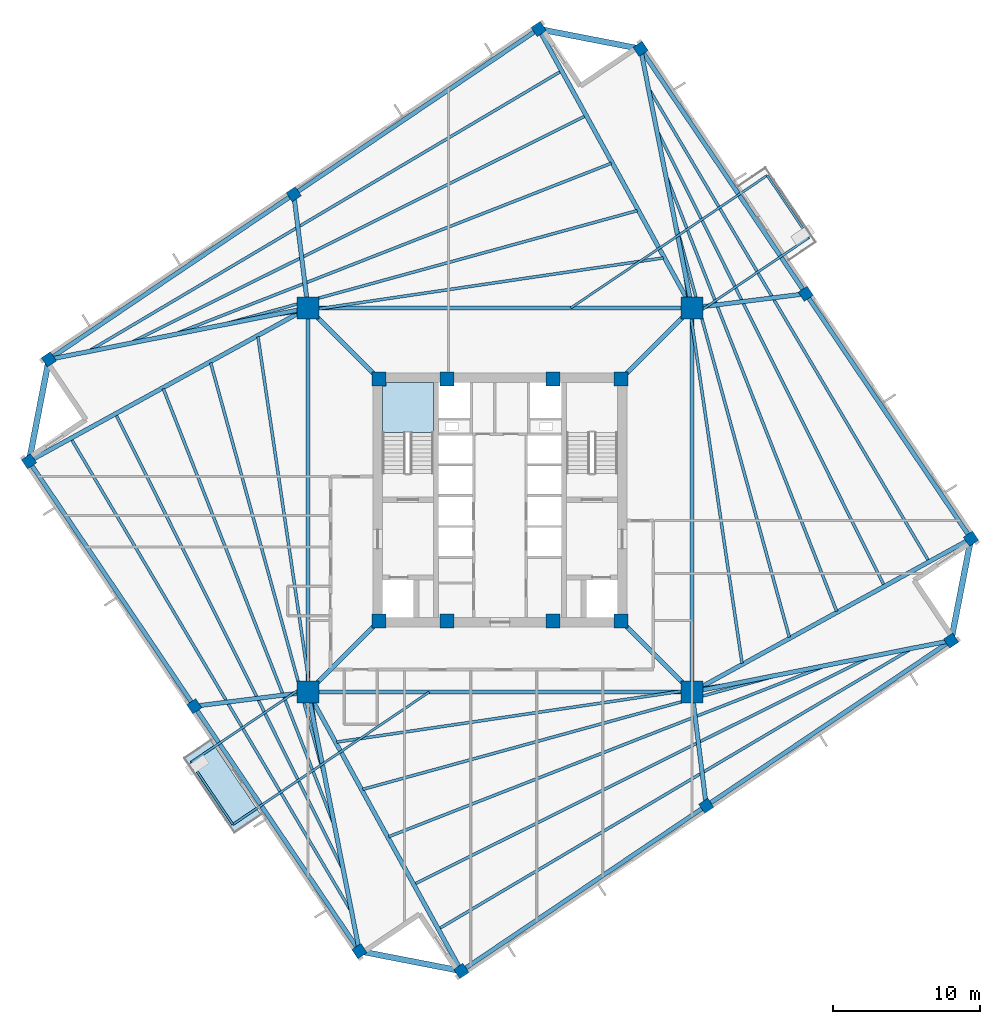
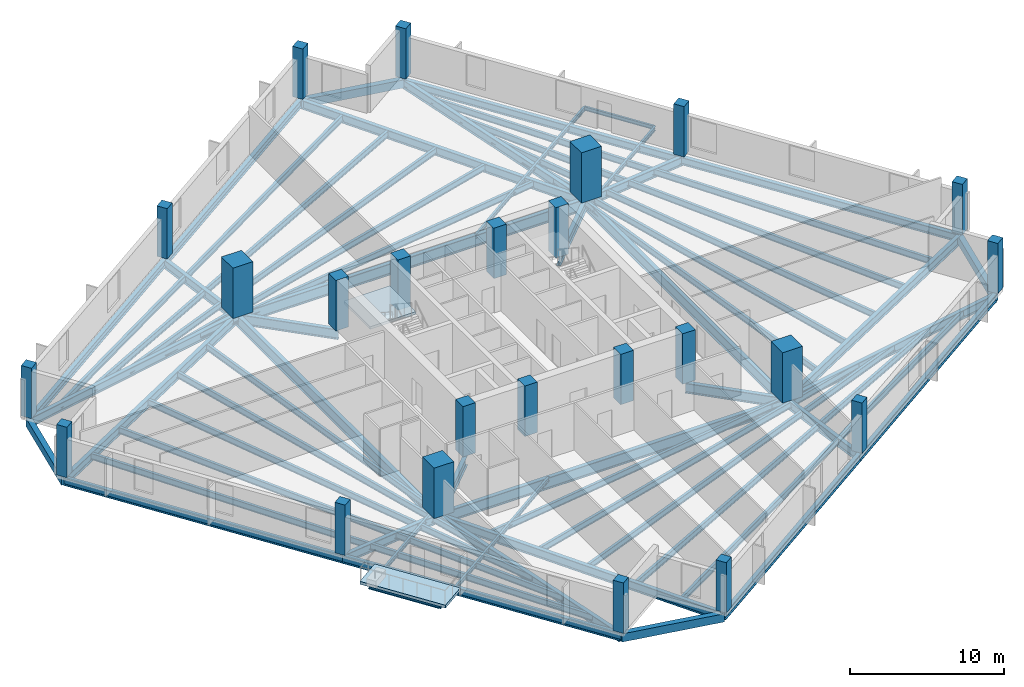
# One storey, part 1 of 9: 58 beams, 24 columns, 2 slabs, 1 element without a shape of its own.
"""IFC4 building model written with IfcOpenShell, lengths in metres."""

from ifc_helpers import new_model, si_unit, direction, frame, origin, origin_2d, place, context, subcontext, project, spatial, polyline, rectangle, i_section, outline, extrude, source, transform, mapped, material, layer, layer_set, material_profile, profile_set, type_object, element, aggregate, save


model = new_model("IFC4")

# Units and contexts
model_context = context("Model", 3, precision=1e-05, world=origin(), true_north=direction((0.0, 1.0)))
body_context = subcontext(model_context, "Body", "Model", "MODEL_VIEW")
ifc_project = project(units=[si_unit("LENGTHUNIT", "METRE"), si_unit("AREAUNIT", "SQUARE_METRE"), si_unit("VOLUMEUNIT", "CUBIC_METRE"), si_unit("PLANEANGLEUNIT", "RADIAN"), si_unit("MASSUNIT", "GRAM", prefix="KILO"), si_unit("THERMODYNAMICTEMPERATUREUNIT", "KELVIN")], contexts=[model_context])

# Site, building, storey
site_placement = place(None, origin())
site = spatial("IfcSite", under=ifc_project, at=site_placement, CompositionType="ELEMENT")
building_placement = place(site_placement, origin())
building = spatial("IfcBuilding", under=site, at=building_placement, Name="Kosmvard Interchange Tower", CompositionType="ELEMENT")
storey_placement = place(building_placement, frame((0.0, 0.0, 156.39990234375)))
storey = spatial("IfcBuildingStorey", under=building, at=storey_placement, Name="L37", CompositionType="ELEMENT", Elevation=156.39990234375)

# Columns
ifc_material_1 = material(Name="Concrete C60/75", Category="concrete")
ifc_material_profile_1 = material_profile(ifc_material_1, rectangle(XDim=0.949951171875, YDim=0.949951171875, at=origin_2d()), Name="CP 950x950")
ifc_profile_set_1 = profile_set([ifc_material_profile_1], Name="Concrete C60/75")
column_type_1 = type_object("IfcColumnType", Name="Core Boundary Pilaster 950x950 C60/75", PredefinedType="PILASTER", material=ifc_profile_set_1)
shared_shape_1 = source(origin(), body_context, "Body", "SweptSolid", [
    extrude(rectangle(XDim=0.949951171875, YDim=0.949951171875, at=origin_2d()), origin(), (0.0, 0.0, 1.0), 4.0),
])
for number, where, z_axis, x_axis, name in (
    (1, (-8.25, -8.25, 0.0), (0.0, 0.0, 1.0), (1.0, 0.0, 0.0), "L37 Core Pilaster CP1"),
    (2, (8.25, -8.25, 0.0), (0.0, 0.0, 1.0), (1.0, 0.0, 0.0), "L37 Core Pilaster CP2"),
    (3, (8.25, 8.25, 0.0), (0.0, 0.0, 1.0), (1.0, 0.0, 0.0), "L37 Core Pilaster CP3"),
    (4, (-8.25, 8.25, 0.0), (0.0, 0.0, 1.0), (1.0, 0.0, 0.0), "L37 Core Pilaster CP4"),
    (5, (-3.60009765625, -8.25, 0.0), (0.0, 0.0, 1.0), (1.0, 0.0, 0.0), "L37 Core Pilaster CP5"),
    (6, (3.60009765625, -8.25, 0.0), (0.0, 0.0, 1.0), (1.0, 0.0, 0.0), "L37 Core Pilaster CP6"),
    (7, (-3.60009765625, 8.25, 0.0), (0.0, 0.0, 1.0), (1.0, 0.0, 0.0), "L37 Core Pilaster CP7"),
    (8, (3.60009765625, 8.25, 0.0), (0.0, 0.0, 1.0), (1.0, 0.0, 0.0), "L37 Core Pilaster CP8"),
):
    element("IfcColumn", number, at=place(storey_placement, frame(where, z_axis=z_axis, x_axis=x_axis)), inside=storey, type_object=column_type_1, Name=name, PredefinedType="PILASTER", context=body_context, shape_type="MappedRepresentation", body=[
        mapped(shared_shape_1, transform((0.0, 0.0, 0.0), scale=1.0)),
    ])
ifc_material_profile_2 = material_profile(ifc_material_1, rectangle(XDim=1.5, YDim=1.5, at=origin_2d()), Name="MC 1500x1500")
ifc_profile_set_2 = profile_set([ifc_material_profile_2], Name="Concrete C60/75")
column_type_2 = type_object("IfcColumnType", Name="Composite Mega-Column 1500x1500 C60/75", PredefinedType="COLUMN", material=ifc_profile_set_2)
shared_shape_2 = source(origin(), body_context, "Body", "SweptSolid", [
    extrude(rectangle(XDim=1.5, YDim=1.5, at=origin_2d()), origin(), (0.0, 0.0, 1.0), 4.0),
])
for number, where, z_axis, x_axis, name in (
    (9, (-13.0810546875, -13.0810546875, 0.0), (0.0, 0.0, 1.0), (1.0, 0.0, 0.0), "L37 Corner Mega-Column MC1"),
    (10, (13.0810546875, -13.0810546875, 0.0), (0.0, 0.0, 1.0), (1.0, 0.0, 0.0), "L37 Corner Mega-Column MC2"),
    (11, (13.0810546875, 13.0810546875, 0.0), (0.0, 0.0, 1.0), (1.0, 0.0, 0.0), "L37 Corner Mega-Column MC3"),
    (12, (-13.0810546875, 13.0810546875, 0.0), (0.0, 0.0, 1.0), (1.0, 0.0, 0.0), "L37 Corner Mega-Column MC4"),
):
    element("IfcColumn", number, at=place(storey_placement, frame(where, z_axis=z_axis, x_axis=x_axis)), inside=storey, type_object=column_type_2, Name=name, PredefinedType="COLUMN", context=body_context, shape_type="MappedRepresentation", body=[
        mapped(shared_shape_2, transform((0.0, 0.0, 0.0), scale=1.0)),
    ])
ifc_material_2 = material(Name="Concrete C50/60", Category="concrete")
ifc_material_profile_3 = material_profile(ifc_material_2, rectangle(XDim=0.75, YDim=0.75, at=origin_2d()), Name="TC 750x750")
ifc_profile_set_3 = profile_set([ifc_material_profile_3], Name="Concrete C50/60")
column_type_3 = type_object("IfcColumnType", Name="Zone 3 Perimeter Pier Column 750x750 C50/60", PredefinedType="COLUMN", material=ifc_profile_set_3)
shared_shape_3 = source(origin(), body_context, "Body", "SweptSolid", [
    extrude(rectangle(XDim=0.75, YDim=0.75, at=origin_2d()), origin(), (0.0, 0.0, 1.0), 4.0),
])
for number, where, z_axis, x_axis, name in (
    (13, (-2.634765625, -32.083251953125, 0.0), (0.0, 0.0, 1.0), (0.829037572555, 0.559192903471, 0.0), "L37 Perimeter Pier Column TC-S1"),
    (14, (14.0498046875, -20.82958984375, 0.0), (0.0, 0.0, 1.0), (0.829037572555, 0.559192903471, 0.0), "L37 Perimeter Pier Column TC-S2"),
    (15, (30.734130859375, -9.575927734375, 0.0), (0.0, 0.0, 1.0), (0.829037572555, 0.559192903471, 0.0), "L37 Perimeter Pier Column TC-S3"),
    (16, (32.083251953125, -2.634765625, 0.0), (0.0, 0.0, 1.0), (0.829037572555, 0.559192903471, 0.0), "L37 Perimeter Pier Column TC-E1"),
    (17, (20.82958984375, 14.0498046875, 0.0), (0.0, 0.0, 1.0), (0.829037572555, 0.559192903471, 0.0), "L37 Perimeter Pier Column TC-E2"),
    (18, (9.575927734375, 30.734130859375, 0.0), (0.0, 0.0, 1.0), (0.829037572555, 0.559192903471, 0.0), "L37 Perimeter Pier Column TC-E3"),
    (19, (2.634765625, 32.083251953125, 0.0), (0.0, 0.0, 1.0), (0.829037572555, 0.559192903471, 0.0), "L37 Perimeter Pier Column TC-N1"),
    (20, (-14.0498046875, 20.82958984375, 0.0), (0.0, 0.0, 1.0), (0.829037572555, 0.559192903471, 0.0), "L37 Perimeter Pier Column TC-N2"),
    (21, (-30.734130859375, 9.575927734375, 0.0), (0.0, 0.0, 1.0), (0.829037572555, 0.559192903471, 0.0), "L37 Perimeter Pier Column TC-N3"),
    (22, (-32.083251953125, 2.634765625, 0.0), (0.0, 0.0, 1.0), (0.829037572555, 0.559192903471, 0.0), "L37 Perimeter Pier Column TC-W1"),
    (23, (-20.82958984375, -14.0498046875, 0.0), (0.0, 0.0, 1.0), (0.829037572555, 0.559192903471, 0.0), "L37 Perimeter Pier Column TC-W2"),
    (24, (-9.575927734375, -30.734130859375, 0.0), (0.0, 0.0, 1.0), (0.829037572555, 0.559192903471, 0.0), "L37 Perimeter Pier Column TC-W3"),
):
    element("IfcColumn", number, at=place(storey_placement, frame(where, z_axis=z_axis, x_axis=x_axis)), inside=storey, type_object=column_type_3, Name=name, PredefinedType="COLUMN", context=body_context, shape_type="MappedRepresentation", body=[
        mapped(shared_shape_3, transform((0.0, 0.0, 0.0), scale=1.0)),
    ])

# Beams
ifc_material_3 = material(Name="Steel S355", Category="steel")
ifc_material_profile_4 = material_profile(ifc_material_3, i_section(OverallWidth=0.14990234375, OverallDepth=0.300048828125, WebThickness=0.007080078125, FlangeThickness=0.0107421875, FilletRadius=0.014892578125, at=origin_2d()), Name="IPE 300")
ifc_profile_set_4 = profile_set([ifc_material_profile_4], Name="Steel S355")
beam_type_1 = type_object("IfcBeamType", Name="Balcony Edge Header Joist IPE 300 S355", PredefinedType="JOIST", material=ifc_profile_set_4)
shared_shape_4 = source(origin(), body_context, "Body", "SweptSolid", [
    extrude(i_section(OverallWidth=0.14990234375, OverallDepth=0.300048828125, WebThickness=0.007080078125, FlangeThickness=0.0107421875, FilletRadius=0.014892578125, at=origin_2d()), origin(), (0.0, 0.0, 1.0), 5.099853515625),
])
for number, where, z_axis, x_axis, name in (
    (25, (21.051513671875, 17.87841796875, -0.409912109375), (-0.559188346666, 0.82904064614, 0.0), (-0.82904064614, -0.559188346666, 0.0), "BM-L37-BJH1"),
    (26, (-21.051513671875, -17.87841796875, -0.409912109375), (0.559188346666, -0.82904064614, 0.0), (0.82904064614, 0.559188346666, 0.0), "BM-L37-BJH2"),
):
    element("IfcBeam", number, at=place(storey_placement, frame(where, z_axis=z_axis, x_axis=x_axis)), inside=storey, type_object=beam_type_1, Name=name, PredefinedType="JOIST", context=body_context, shape_type="MappedRepresentation", body=[
        mapped(shared_shape_4, transform((0.0, 0.0, 0.0), scale=1.0)),
    ])
ifc_material_profile_5 = material_profile(ifc_material_3, i_section(OverallWidth=0.300048828125, OverallDepth=0.800048828125, WebThickness=0.017578125, FlangeThickness=0.032958984375, FilletRadius=0.027099609375, at=origin_2d()), Name="HEB 800")
ifc_profile_set_5 = profile_set([ifc_material_profile_5], Name="Steel S355")
beam_type_2 = type_object("IfcBeamType", Name="Primary Mega-Frame Girder HEB 800 S355", PredefinedType="BEAM", material=ifc_profile_set_5)
shared_shape_5 = source(origin(), body_context, "Body", "SweptSolid", [
    extrude(i_section(OverallWidth=0.300048828125, OverallDepth=0.800048828125, WebThickness=0.017578125, FlangeThickness=0.032958984375, FilletRadius=0.027099609375, at=origin_2d()), origin(), (0.0, 0.0, 1.0), 6.83203125),
])
for number, where, z_axis, x_axis, name in (
    (27, (-8.25, -8.25, -0.659912109375), (-0.707106781187, -0.707106781187, 0.0), (0.707106781187, -0.707106781187, 0.0), "L37 Radial Mega-Frame Girder 1"),
    (28, (8.25, -8.25, -0.659912109375), (0.707106781187, -0.707106781187, 0.0), (0.707106781187, 0.707106781187, 0.0), "L37 Radial Mega-Frame Girder 2"),
    (29, (8.25, 8.25, -0.659912109375), (0.707106781187, 0.707106781187, 0.0), (-0.707106781187, 0.707106781187, 0.0), "L37 Radial Mega-Frame Girder 3"),
    (30, (-8.25, 8.25, -0.659912109375), (-0.707106781187, 0.707106781187, 0.0), (-0.707106781187, -0.707106781187, 0.0), "L37 Radial Mega-Frame Girder 4"),
):
    element("IfcBeam", number, at=place(storey_placement, frame(where, z_axis=z_axis, x_axis=x_axis)), inside=storey, type_object=beam_type_2, Name=name, PredefinedType="BEAM", context=body_context, shape_type="MappedRepresentation", body=[
        mapped(shared_shape_5, transform((0.0, 0.0, 0.0), scale=1.0)),
    ])
ifc_material_profile_6 = material_profile(ifc_material_3, i_section(OverallWidth=0.300048828125, OverallDepth=0.89990234375, WebThickness=0.0185546875, FlangeThickness=0.034912109375, FilletRadius=0.030029296875, at=origin_2d()), Name="HEB 900")
ifc_profile_set_6 = profile_set([ifc_material_profile_6], Name="Steel S355")
beam_type_3 = type_object("IfcBeamType", Name="Mega-Column Ring Girder HEB 900 S355", PredefinedType="BEAM", material=ifc_profile_set_6)
shared_shape_6 = source(origin(), body_context, "Body", "SweptSolid", [
    extrude(i_section(OverallWidth=0.300048828125, OverallDepth=0.89990234375, WebThickness=0.0185546875, FlangeThickness=0.034912109375, FilletRadius=0.030029296875, at=origin_2d()), origin(), (0.0, 0.0, 1.0), 26.162109375),
])
for number, where, z_axis, x_axis, name in (
    (31, (-13.0810546875, -13.0810546875, -0.7099609375), (1.0, 0.0, 0.0), (0.0, 1.0, 0.0), "L37 Mega-Column Ring Girder 1"),
    (32, (13.0810546875, -13.0810546875, -0.7099609375), (0.0, 1.0, 0.0), (-1.0, 0.0, 0.0), "L37 Mega-Column Ring Girder 2"),
    (33, (13.0810546875, 13.0810546875, -0.7099609375), (-1.0, 0.0, 0.0), (0.0, -1.0, 0.0), "L37 Mega-Column Ring Girder 3"),
    (34, (-13.0810546875, 13.0810546875, -0.7099609375), (0.0, -1.0, 0.0), (1.0, 0.0, 0.0), "L37 Mega-Column Ring Girder 4"),
):
    element("IfcBeam", number, at=place(storey_placement, frame(where, z_axis=z_axis, x_axis=x_axis)), inside=storey, type_object=beam_type_3, Name=name, PredefinedType="BEAM", context=body_context, shape_type="MappedRepresentation", body=[
        mapped(shared_shape_6, transform((0.0, 0.0, 0.0), scale=1.0)),
    ])
ifc_material_profile_7 = material_profile(ifc_material_3, i_section(OverallWidth=0.300048828125, OverallDepth=0.60009765625, WebThickness=0.015380859375, FlangeThickness=0.030029296875, FilletRadius=0.027099609375, at=origin_2d()), Name="HEB 600")
ifc_profile_set_7 = profile_set([ifc_material_profile_7], Name="Steel S355")
beam_type_4 = type_object("IfcBeamType", Name="Perimeter Tie Girder HEB 600 S355", PredefinedType="BEAM", material=ifc_profile_set_7)
shared_shape_7 = source(origin(), body_context, "Body", "SweptSolid", [
    extrude(i_section(OverallWidth=0.300048828125, OverallDepth=0.60009765625, WebThickness=0.015380859375, FlangeThickness=0.030029296875, FilletRadius=0.027099609375, at=origin_2d()), origin(), (0.0, 0.0, 1.0), 20.125),
])
for number, where, z_axis, x_axis, name in (
    (35, (-2.634765625, -32.083251953125, -0.559814453125), (0.82904270175, 0.559185299051, 0.0), (-0.559185299051, 0.82904270175, 0.0), "BM-L37-PR01"),
    (36, (14.0498046875, -20.82958984375, -0.559814453125), (0.829038908426, 0.559190922956, 0.0), (-0.559190922956, 0.829038908426, 0.0), "BM-L37-PR02"),
    (37, (32.083251953125, -2.634765625, -0.559814453125), (-0.559185299051, 0.82904270175, 0.0), (-0.82904270175, -0.559185299051, 0.0), "BM-L37-PR04"),
    (38, (20.82958984375, 14.0498046875, -0.559814453125), (-0.559190922956, 0.829038908426, 0.0), (-0.829038908426, -0.559190922956, 0.0), "BM-L37-PR05"),
    (39, (2.634765625, 32.083251953125, -0.559814453125), (-0.82904270175, -0.559185299051, 0.0), (0.559185299051, -0.82904270175, 0.0), "BM-L37-PR07"),
    (40, (-14.0498046875, 20.82958984375, -0.559814453125), (-0.829038908426, -0.559190922956, 0.0), (0.559190922956, -0.829038908426, 0.0), "BM-L37-PR08"),
    (41, (-32.083251953125, 2.634765625, -0.559814453125), (0.559185299051, -0.82904270175, 0.0), (0.82904270175, 0.559185299051, 0.0), "BM-L37-PR10"),
    (42, (-20.82958984375, -14.0498046875, -0.559814453125), (0.559190922956, -0.829038908426, 0.0), (0.829038908426, 0.559190922956, 0.0), "BM-L37-PR11"),
):
    element("IfcBeam", number, at=place(storey_placement, frame(where, z_axis=z_axis, x_axis=x_axis)), inside=storey, type_object=beam_type_4, Name=name, PredefinedType="BEAM", context=body_context, shape_type="MappedRepresentation", body=[
        mapped(shared_shape_7, transform((0.0, 0.0, 0.0), scale=1.0)),
    ])
ifc_material_profile_8 = material_profile(ifc_material_3, i_section(OverallWidth=0.300048828125, OverallDepth=0.699951171875, WebThickness=0.01708984375, FlangeThickness=0.031982421875, FilletRadius=0.027099609375, at=origin_2d()), Name="HEB 700")
ifc_profile_set_8 = profile_set([ifc_material_profile_8], Name="Steel S355")
beam_type_5 = type_object("IfcBeamType", Name="Primary Floor Girder HEB 700 S355", PredefinedType="BEAM", material=ifc_profile_set_8)
shared_shape_8 = source(origin(), body_context, "Body", "SweptSolid", [
    extrude(i_section(OverallWidth=0.300048828125, OverallDepth=0.699951171875, WebThickness=0.01708984375, FlangeThickness=0.031982421875, FilletRadius=0.027099609375, at=origin_2d()), origin(), (0.0, 0.0, 1.0), 21.684326171875),
])
for number, where, z_axis, x_axis, name in (
    (43, (-13.0810546875, -13.0810546875, -0.60986328125), (0.48174456271, -0.876311689012, 0.0), (0.876311689012, 0.48174456271, 0.0), "BM-L37-RD01"),
    (44, (13.0810546875, -13.0810546875, -0.60986328125), (0.876311689012, 0.48174456271, 0.0), (-0.48174456271, 0.876311689012, 0.0), "BM-L37-RD04"),
    (45, (13.0810546875, 13.0810546875, -0.60986328125), (-0.48174456271, 0.876311689012, 0.0), (-0.876311689012, -0.48174456271, 0.0), "BM-L37-RD07"),
    (46, (-13.0810546875, 13.0810546875, -0.60986328125), (-0.876311689012, -0.48174456271, 0.0), (0.48174456271, -0.876311689012, 0.0), "BM-L37-RD10"),
):
    element("IfcBeam", number, at=place(storey_placement, frame(where, z_axis=z_axis, x_axis=x_axis)), inside=storey, type_object=beam_type_5, Name=name, PredefinedType="BEAM", context=body_context, shape_type="MappedRepresentation", body=[
        mapped(shared_shape_8, transform((0.0, 0.0, 0.0), scale=1.0)),
    ])
shared_shape_9 = source(origin(), body_context, "Body", "SweptSolid", [
    extrude(i_section(OverallWidth=0.300048828125, OverallDepth=0.699951171875, WebThickness=0.01708984375, FlangeThickness=0.031982421875, FilletRadius=0.027099609375, at=origin_2d()), origin(), (0.0, 0.0, 1.0), 7.808837890625),
])
for number, where, z_axis, x_axis, name in (
    (47, (13.0810546875, -13.0810546875, -0.60986328125), (0.12405782224, -0.992274990485, 0.0), (0.992274990485, 0.12405782224, 0.0), "BM-L37-RD02"),
    (48, (13.0810546875, 13.0810546875, -0.60986328125), (0.992274990485, 0.12405782224, 0.0), (-0.12405782224, 0.992274990485, 0.0), "BM-L37-RD05"),
    (49, (-13.0810546875, 13.0810546875, -0.60986328125), (-0.12405782224, 0.992274990485, 0.0), (-0.992274990485, -0.12405782224, 0.0), "BM-L37-RD08"),
    (50, (-13.0810546875, -13.0810546875, -0.60986328125), (-0.992274990485, -0.12405782224, 0.0), (0.12405782224, -0.992274990485, 0.0), "BM-L37-RD11"),
):
    element("IfcBeam", number, at=place(storey_placement, frame(where, z_axis=z_axis, x_axis=x_axis)), inside=storey, type_object=beam_type_5, Name=name, PredefinedType="BEAM", context=body_context, shape_type="MappedRepresentation", body=[
        mapped(shared_shape_9, transform((0.0, 0.0, 0.0), scale=1.0)),
    ])
ifc_material_4 = material(Name="Precast concrete C45/55", Category="concrete")
ifc_material_profile_9 = material_profile(ifc_material_4, rectangle(XDim=0.39990234375, YDim=0.64990234375, at=origin_2d()), Name="SL 400x650")
ifc_profile_set_9 = profile_set([ifc_material_profile_9], Name="Precast concrete C45/55")
beam_type_6 = type_object("IfcBeamType", Name="Precast Spandrel Lintel 400x650 C45/55", PredefinedType="LINTEL", material=ifc_profile_set_9)
shared_shape_10 = source(origin(), body_context, "Body", "SweptSolid", [
    extrude(rectangle(XDim=0.39990234375, YDim=0.64990234375, at=origin_2d()), origin(), (0.0, 0.0, 1.0), 7.071044921875),
])
for number, where, z_axis, x_axis, name in (
    (51, (30.734130859375, -9.575927734375, -0.5849609375), (0.190794803533, 0.981629941956, 0.0), (-0.981629941956, 0.190794803533, 0.0), "BM-L37-SL1"),
    (52, (9.575927734375, 30.734130859375, -0.5849609375), (-0.981629941956, 0.190794803533, 0.0), (-0.190794803533, -0.981629941956, 0.0), "BM-L37-SL2"),
    (53, (-30.734130859375, 9.575927734375, -0.5849609375), (-0.190794803533, -0.981629941956, 0.0), (0.981629941956, -0.190794803533, 0.0), "BM-L37-SL3"),
    (54, (-9.575927734375, -30.734130859375, -0.5849609375), (0.981629941956, -0.190794803533, 0.0), (0.190794803533, 0.981629941956, 0.0), "BM-L37-SL4"),
):
    element("IfcBeam", number, at=place(storey_placement, frame(where, z_axis=z_axis, x_axis=x_axis)), inside=storey, type_object=beam_type_6, Name=name, PredefinedType="LINTEL", context=body_context, shape_type="MappedRepresentation", body=[
        mapped(shared_shape_10, transform((0.0, 0.0, 0.0), scale=1.0)),
    ])
shared_shape_11 = source(origin(), body_context, "Body", "SweptSolid", [
    extrude(i_section(OverallWidth=0.300048828125, OverallDepth=0.699951171875, WebThickness=0.01708984375, FlangeThickness=0.031982421875, FilletRadius=0.027099609375, at=origin_2d()), origin(), (0.0, 0.0, 1.0), 17.997802734375),
])
for number, where, z_axis, x_axis, name in (
    (55, (13.0810546875, -13.0810546875, -0.60986328125), (0.980852075755, 0.194754218148, 0.0), (-0.194754218148, 0.980852075755, 0.0), "BM-L37-RD03"),
    (56, (13.0810546875, 13.0810546875, -0.60986328125), (-0.194754218148, 0.980852075755, 0.0), (-0.980852075755, -0.194754218148, 0.0), "BM-L37-RD06"),
    (57, (-13.0810546875, 13.0810546875, -0.60986328125), (-0.980852075755, -0.194754218148, 0.0), (0.194754218148, -0.980852075755, 0.0), "BM-L37-RD09"),
    (58, (-13.0810546875, -13.0810546875, -0.60986328125), (0.194754218148, -0.980852075755, 0.0), (0.980852075755, 0.194754218148, 0.0), "BM-L37-RD12"),
):
    element("IfcBeam", number, at=place(storey_placement, frame(where, z_axis=z_axis, x_axis=x_axis)), inside=storey, type_object=beam_type_5, Name=name, PredefinedType="BEAM", context=body_context, shape_type="MappedRepresentation", body=[
        mapped(shared_shape_11, transform((0.0, 0.0, 0.0), scale=1.0)),
    ])
ifc_material_profile_10 = material_profile(ifc_material_3, i_section(OverallWidth=0.199951171875, OverallDepth=0.5, WebThickness=0.01025390625, FlangeThickness=0.01611328125, FilletRadius=0.02099609375, at=origin_2d()), Name="IPE 500")
ifc_profile_set_10 = profile_set([ifc_material_profile_10], Name="Steel S355")
beam_type_7 = type_object("IfcBeamType", Name="Standard Floor Joist IPE 500 S355", PredefinedType="JOIST", material=ifc_profile_set_10)
shared_shape_12 = source(origin(), body_context, "Body", "SweptSolid", [
    extrude(i_section(OverallWidth=0.199951171875, OverallDepth=0.5, WebThickness=0.01025390625, FlangeThickness=0.01611328125, FilletRadius=0.02099609375, at=origin_2d()), origin(), (0.0, 0.0, 1.0), 27.5966796875),
])
for number, where, z_axis, x_axis, name in (
    (59, (-11.12158203125, -16.48974609375, -0.510009765625), (0.989290070387, 0.145962860463, 0.0), (-0.145962860463, 0.989290070387, 0.0), "BM-L37-FJ01"),
    (60, (16.48974609375, -11.12158203125, -0.510009765625), (-0.145962860463, 0.989290070387, 0.0), (-0.989290070387, -0.145962860463, 0.0), "BM-L37-FJ06"),
    (61, (11.12158203125, 16.48974609375, -0.510009765625), (-0.989290070387, -0.145962860463, 0.0), (0.145962860463, -0.989290070387, 0.0), "BM-L37-FJ11"),
    (62, (-16.48974609375, 11.12158203125, -0.510009765625), (0.145962860463, -0.989290070387, 0.0), (0.989290070387, 0.145962860463, 0.0), "BM-L37-FJ16"),
):
    element("IfcBeam", number, at=place(storey_placement, frame(where, z_axis=z_axis, x_axis=x_axis)), inside=storey, type_object=beam_type_7, Name=name, PredefinedType="JOIST", context=body_context, shape_type="MappedRepresentation", body=[
        mapped(shared_shape_12, transform((0.0, 0.0, 0.0), scale=1.0)),
    ])
shared_shape_13 = source(origin(), body_context, "Body", "SweptSolid", [
    extrude(i_section(OverallWidth=0.199951171875, OverallDepth=0.5, WebThickness=0.01025390625, FlangeThickness=0.01611328125, FilletRadius=0.02099609375, at=origin_2d()), origin(), (0.0, 0.0, 1.0), 29.58642578125),
])
for number, where, z_axis, x_axis, name in (
    (63, (-9.34765625, -19.710693359375, -0.510009765625), (0.964296527467, 0.264824861209, 0.0), (-0.264824861209, 0.964296527467, 0.0), "BM-L37-FJ02"),
    (64, (19.710693359375, -9.34765625, -0.510009765625), (-0.264824861209, 0.964296527467, 0.0), (-0.964296527467, -0.264824861209, 0.0), "BM-L37-FJ07"),
    (65, (9.34765625, 19.710693359375, -0.510009765625), (-0.964296527467, -0.264824861209, 0.0), (0.264824861209, -0.964296527467, 0.0), "BM-L37-FJ12"),
    (66, (-19.710693359375, 9.34765625, -0.510009765625), (0.264824861209, -0.964296527467, 0.0), (0.964296527467, 0.264824861209, 0.0), "BM-L37-FJ17"),
):
    element("IfcBeam", number, at=place(storey_placement, frame(where, z_axis=z_axis, x_axis=x_axis)), inside=storey, type_object=beam_type_7, Name=name, PredefinedType="JOIST", context=body_context, shape_type="MappedRepresentation", body=[
        mapped(shared_shape_13, transform((0.0, 0.0, 0.0), scale=1.0)),
    ])
shared_shape_14 = source(origin(), body_context, "Body", "SweptSolid", [
    extrude(i_section(OverallWidth=0.199951171875, OverallDepth=0.5, WebThickness=0.01025390625, FlangeThickness=0.01611328125, FilletRadius=0.02099609375, at=origin_2d()), origin(), (0.0, 0.0, 1.0), 31.9580078125),
])
for number, where, z_axis, x_axis, name in (
    (67, (-7.574462890625, -22.93310546875, -0.510009765625), (0.931239172846, 0.364408565976, 0.0), (-0.364408565976, 0.931239172846, 0.0), "BM-L37-FJ03"),
    (68, (22.93310546875, -7.574462890625, -0.510009765625), (-0.364408565976, 0.931239172846, 0.0), (-0.931239172846, -0.364408565976, 0.0), "BM-L37-FJ08"),
    (69, (7.574462890625, 22.93310546875, -0.510009765625), (-0.931239172846, -0.364408565976, 0.0), (0.364408565976, -0.931239172846, 0.0), "BM-L37-FJ13"),
    (70, (-22.93310546875, 7.574462890625, -0.510009765625), (0.364408565976, -0.931239172846, 0.0), (0.931239172846, 0.364408565976, 0.0), "BM-L37-FJ18"),
):
    element("IfcBeam", number, at=place(storey_placement, frame(where, z_axis=z_axis, x_axis=x_axis)), inside=storey, type_object=beam_type_7, Name=name, PredefinedType="JOIST", context=body_context, shape_type="MappedRepresentation", body=[
        mapped(shared_shape_14, transform((0.0, 0.0, 0.0), scale=1.0)),
    ])
shared_shape_15 = source(origin(), body_context, "Body", "SweptSolid", [
    extrude(i_section(OverallWidth=0.199951171875, OverallDepth=0.5, WebThickness=0.01025390625, FlangeThickness=0.01611328125, FilletRadius=0.02099609375, at=origin_2d()), origin(), (0.0, 0.0, 1.0), 34.633056640625),
])
for number, where, z_axis, x_axis, name in (
    (71, (-5.801513671875, -26.156982421875, -0.510009765625), (0.894853974707, 0.446359007921, 0.0), (-0.446359007921, 0.894853974707, 0.0), "BM-L37-FJ04"),
    (72, (26.156982421875, -5.801513671875, -0.510009765625), (-0.446359007921, 0.894853974707, 0.0), (-0.894853974707, -0.446359007921, 0.0), "BM-L37-FJ09"),
    (73, (5.801513671875, 26.156982421875, -0.510009765625), (-0.894853974707, -0.446359007921, 0.0), (0.446359007921, -0.894853974707, 0.0), "BM-L37-FJ14"),
    (74, (-26.156982421875, 5.801513671875, -0.510009765625), (0.446359007921, -0.894853974707, 0.0), (0.894853974707, 0.446359007921, 0.0), "BM-L37-FJ19"),
):
    element("IfcBeam", number, at=place(storey_placement, frame(where, z_axis=z_axis, x_axis=x_axis)), inside=storey, type_object=beam_type_7, Name=name, PredefinedType="JOIST", context=body_context, shape_type="MappedRepresentation", body=[
        mapped(shared_shape_15, transform((0.0, 0.0, 0.0), scale=1.0)),
    ])
shared_shape_16 = source(origin(), body_context, "Body", "SweptSolid", [
    extrude(i_section(OverallWidth=0.199951171875, OverallDepth=0.5, WebThickness=0.01025390625, FlangeThickness=0.01611328125, FilletRadius=0.02099609375, at=origin_2d()), origin(), (0.0, 0.0, 1.0), 37.3701171875),
])
for number, where, z_axis, x_axis, name in (
    (75, (-4.1328125, -29.192138671875, -0.510009765625), (0.860316577026, 0.509760127212, 0.0), (-0.509760127212, 0.860316577026, 0.0), "BM-L37-FJ05"),
    (76, (29.192138671875, -4.1328125, -0.510009765625), (-0.509760127212, 0.860316577026, 0.0), (-0.860316577026, -0.509760127212, 0.0), "BM-L37-FJ10"),
    (77, (4.1328125, 29.192138671875, -0.510009765625), (-0.860316577026, -0.509760127212, 0.0), (0.509760127212, -0.860316577026, 0.0), "BM-L37-FJ15"),
    (78, (-29.192138671875, 4.1328125, -0.510009765625), (0.509760127212, -0.860316577026, 0.0), (0.860316577026, 0.509760127212, 0.0), "BM-L37-FJ20"),
):
    element("IfcBeam", number, at=place(storey_placement, frame(where, z_axis=z_axis, x_axis=x_axis)), inside=storey, type_object=beam_type_7, Name=name, PredefinedType="JOIST", context=body_context, shape_type="MappedRepresentation", body=[
        mapped(shared_shape_16, transform((0.0, 0.0, 0.0), scale=1.0)),
    ])
ifc_material_profile_11 = material_profile(ifc_material_3, i_section(OverallWidth=0.159912109375, OverallDepth=0.330078125, WebThickness=0.007568359375, FlangeThickness=0.011474609375, FilletRadius=0.01806640625, at=origin_2d()), Name="IPE 330")
ifc_profile_set_11 = profile_set([ifc_material_profile_11], Name="Steel S355")
beam_type_8 = type_object("IfcBeamType", Name="Balcony Cantilever Joist IPE 330 S355", PredefinedType="JOIST", material=ifc_profile_set_11)
shared_shape_17 = source(origin(), body_context, "Body", "SweptSolid", [
    extrude(i_section(OverallWidth=0.159912109375, OverallDepth=0.330078125, WebThickness=0.007568359375, FlangeThickness=0.011474609375, FilletRadius=0.01806640625, at=origin_2d()), origin(), (0.0, 0.0, 1.0), 9.6142578125),
])
for number, where, z_axis, x_axis, name in (
    (79, (13.0810546875, 12.502197265625, -0.4248046875), (0.829033800065, 0.559198496377, 0.0), (-0.559198496377, 0.829033800065, 0.0), "BM-L37-BJ1"),
    (80, (-13.0810546875, -12.502197265625, -0.4248046875), (-0.829033800065, -0.559198496377, 0.0), (0.559198496377, -0.829033800065, 0.0), "BM-L37-BJ2"),
):
    element("IfcBeam", number, at=place(storey_placement, frame(where, z_axis=z_axis, x_axis=x_axis)), inside=storey, type_object=beam_type_8, Name=name, PredefinedType="JOIST", context=body_context, shape_type="MappedRepresentation", body=[
        mapped(shared_shape_17, transform((0.0, 0.0, 0.0), scale=1.0)),
    ])
shared_shape_18 = source(origin(), body_context, "Body", "SweptSolid", [
    extrude(i_section(OverallWidth=0.159912109375, OverallDepth=0.330078125, WebThickness=0.007568359375, FlangeThickness=0.011474609375, FilletRadius=0.01806640625, at=origin_2d()), origin(), (0.0, 0.0, 1.0), 16.14013671875),
])
for number, where, z_axis, x_axis, name in (
    (81, (4.81884765625, 13.0810546875, -0.4248046875), (0.829040817826, 0.559188092129, 0.0), (-0.559188092129, 0.829040817826, 0.0), "BM-L37-BJB1"),
    (82, (-4.81884765625, -13.0810546875, -0.4248046875), (-0.829040817826, -0.559188092129, 0.0), (0.559188092129, -0.829040817826, 0.0), "BM-L37-BJB2"),
):
    element("IfcBeam", number, at=place(storey_placement, frame(where, z_axis=z_axis, x_axis=x_axis)), inside=storey, type_object=beam_type_8, Name=name, PredefinedType="JOIST", context=body_context, shape_type="MappedRepresentation", body=[
        mapped(shared_shape_18, transform((0.0, 0.0, 0.0), scale=1.0)),
    ])

# Stair, slab
stair_type = type_object("IfcStairType", Name="Dog-Leg Core Exit Stair H4000 C50/60", PredefinedType="HALF_TURN_STAIR", material=ifc_material_2)
stair_placement = place(storey_placement, origin())
stair = element("IfcStair", 83, at=stair_placement, inside=storey, type_object=stair_type, Name="L37 Protected Exit Stair ST-1", PredefinedType="HALF_TURN_STAIR")
ifc_layer_1 = layer(ifc_material_2, 0.199951171875, Name="Concrete C50/60")
ifc_layer_set_1 = layer_set([ifc_layer_1], Name="Concrete C50/60")
slab_type_1 = type_object("IfcSlabType", Name="Stair Half-Landing Slab 200 C50/60", PredefinedType="LANDING", material=ifc_layer_set_1)
slab_1_placement = place(storey_placement, frame((0.0, 0.0, 1.800048828125)))
slab_1 = element("IfcSlab", 84, at=slab_1_placement, type_object=slab_type_1, Name="ST-1 landing 1", PredefinedType="LANDING", context=body_context, shape_type="SweptSolid", body=[
    extrude(outline(polyline([(-4.5400390625, 4.60009765625), (-4.5400390625, 8.0), (-8.0, 8.0), (-8.0, 4.60009765625), (-4.5400390625, 4.60009765625)])), origin(), (0.0, 0.0, 1.0), 0.199951171875),
])
aggregate(stair, [slab_1])

# Slab
ifc_layer_2 = layer(ifc_material_2, 0.22998046875, Name="Concrete C50/60")
ifc_layer_set_2 = layer_set([ifc_layer_2], Name="Concrete C50/60")
slab_type_2 = type_object("IfcSlabType", Name="Tree-Planter Cantilever Balcony Slab 230 C50/60", PredefinedType="FLOOR", material=ifc_layer_set_2)
slab_2_placement = place(storey_placement, frame((0.0, 0.0, -0.22998046875)))
element("IfcSlab", 85, at=slab_2_placement, inside=storey, type_object=slab_type_2, Name="L37 Outdoor Terrace Balcony Slab BAL-L37-W", PredefinedType="FLOOR", context=body_context, shape_type="SweptSolid", body=[
    extrude(outline(polyline([(-18.099365234375, -22.702392578125), (-16.275390625, -21.47216796875), (-19.742431640625, -16.33203125), (-21.56640625, -17.562255859375), (-18.099365234375, -22.702392578125)])), origin(), (0.0, 0.0, 1.0), 0.22998046875),
])

save(model, "model.ifc")
